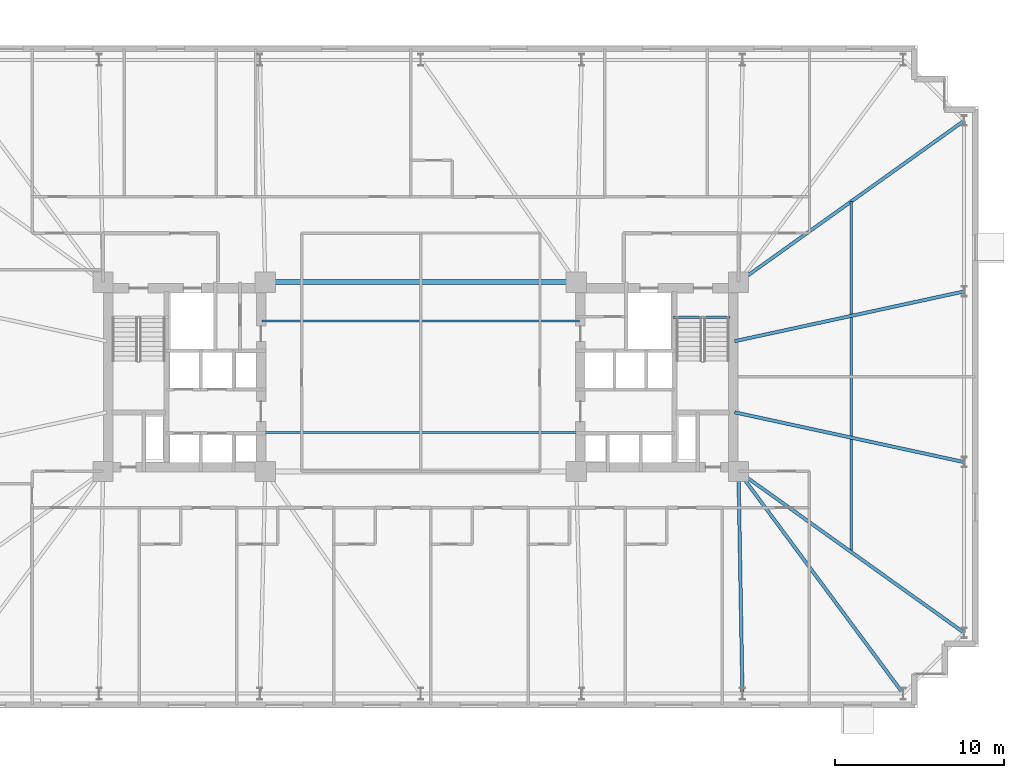
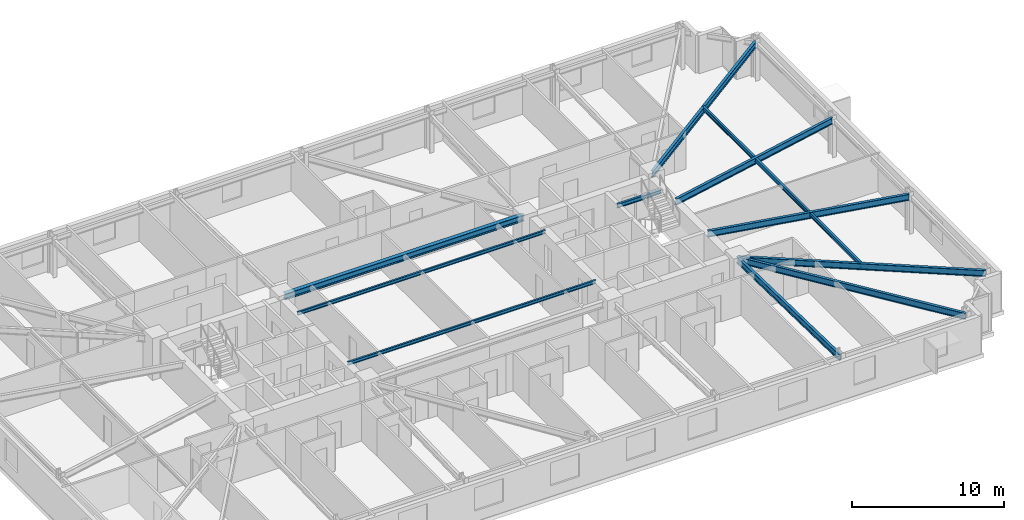
# One storey, part 7 of 20: 11 beams.
"""IFC4 building model written with IfcOpenShell, lengths in metres."""

from ifc_helpers import new_model, si_unit, direction, frame, origin, origin_2d, place, context, subcontext, project, spatial, i_section, extrude, material, material_profile, profile_set, type_object, element, save


model = new_model("IFC4")

# Units and contexts
model_context = context("Model", 3, precision=1e-05, world=origin(), true_north=direction((0.0, 1.0)))
body_context = subcontext(model_context, "Body", "Model", "MODEL_VIEW")
ifc_project = project(units=[si_unit("LENGTHUNIT", "METRE"), si_unit("AREAUNIT", "SQUARE_METRE"), si_unit("VOLUMEUNIT", "CUBIC_METRE"), si_unit("PLANEANGLEUNIT", "RADIAN"), si_unit("MASSUNIT", "GRAM", prefix="KILO")], contexts=[model_context])

# Site, building, storey
site_placement = place(None, origin())
site = spatial("IfcSite", under=ifc_project, at=site_placement, CompositionType="ELEMENT")
building_placement = place(site_placement, origin())
building = spatial("IfcBuilding", under=site, at=building_placement, Name="Qobustan Lattice House", CompositionType="ELEMENT")
storey_placement = place(building_placement, frame((0.0, 0.0, 67.199951171875)))
storey = spatial("IfcBuildingStorey", under=building, at=storey_placement, Name="L18", CompositionType="ELEMENT", Elevation=67.199951171875)

# Beams
ifc_material_1 = material(Name="Steel S355", Category="steel")
ifc_material_profile_1 = material_profile(ifc_material_1, i_section(OverallWidth=0.300048828125, OverallDepth=0.5, WebThickness=0.014404296875, FlangeThickness=0.028076171875, FilletRadius=0.027099609375, at=origin_2d()), Name="HEB500")
ifc_profile_set_1 = profile_set([ifc_material_profile_1], Name="Steel S355")
beam_type_1 = type_object("IfcBeamType", Name="BM-CG-HEB500", PredefinedType="USERDEFINED", material=ifc_profile_set_1)
beam_1_placement = place(storey_placement, frame((-9.050048828125, 5.60009765625, 2.78515625), z_axis=(1.0, 0.0, 0.0), x_axis=(0.0, 1.0, 0.0)))
element("IfcBeam", 1, at=beam_1_placement, inside=storey, type_object=beam_type_1, Name="L18 core spine girder CG-CN", ObjectType="GIRDER", PredefinedType="USERDEFINED", context=body_context, shape_type="SweptSolid", body=[
    extrude(i_section(OverallWidth=0.300048828125, OverallDepth=0.5, WebThickness=0.014404296875, FlangeThickness=0.028076171875, FilletRadius=0.027099609375, at=origin_2d()), origin(), (0.0, 0.0, 1.0), 18.10009765625),
])
ifc_material_2 = material(Name="Steel S355", Category="steel")
ifc_material_profile_2 = material_profile(ifc_material_2, i_section(OverallWidth=0.199951171875, OverallDepth=0.5, WebThickness=0.01025390625, FlangeThickness=0.01611328125, FilletRadius=0.02099609375, at=origin_2d()), Name="IPE500")
ifc_profile_set_2 = profile_set([ifc_material_profile_2], Name="Steel S355")
beam_type_2 = type_object("IfcBeamType", Name="BM-FLG-IPE500", PredefinedType="USERDEFINED", material=ifc_profile_set_2)
beam_2_placement = place(storey_placement, frame((19.032958984375, -18.72509765625, 2.78515625), z_axis=(-0.017757831607, 0.999842317276, 0.0), x_axis=(-0.999842317276, -0.017757831607, 0.0)))
element("IfcBeam", 2, at=beam_2_placement, inside=storey, type_object=beam_type_2, Name="L18 primary floor girder RAD-S6", ObjectType="GIRDER", PredefinedType="USERDEFINED", context=body_context, shape_type="SweptSolid", body=[
    extrude(i_section(OverallWidth=0.199951171875, OverallDepth=0.5, WebThickness=0.01025390625, FlangeThickness=0.01611328125, FilletRadius=0.02099609375, at=origin_2d()), origin(), (0.0, 0.0, 1.0), 13.10205078125),
])
beam_3_placement = place(storey_placement, frame((28.53515625, -18.72998046875, 2.78515625), z_axis=(-0.5955916815, 0.803287338956, 0.0), x_axis=(-0.803287338956, -0.5955916815, 0.0)))
element("IfcBeam", 3, at=beam_3_placement, inside=storey, type_object=beam_type_2, Name="L18 primary floor girder RAD-S7E", ObjectType="GIRDER", PredefinedType="USERDEFINED", context=body_context, shape_type="SweptSolid", body=[
    extrude(i_section(OverallWidth=0.199951171875, OverallDepth=0.5, WebThickness=0.01025390625, FlangeThickness=0.01611328125, FilletRadius=0.02099609375, at=origin_2d()), origin(), (0.0, 0.0, 1.0), 16.3203125),
])
beam_4_placement = place(storey_placement, frame((32.129638671875, 15.135498046875, 2.78515625), z_axis=(-0.813318954893, -0.581818079481, 0.0), x_axis=(0.581818079481, -0.813318954893, 0.0)))
element("IfcBeam", 4, at=beam_4_placement, inside=storey, type_object=beam_type_2, Name="L18 primary floor girder RAD-E4", ObjectType="GIRDER", PredefinedType="USERDEFINED", context=body_context, shape_type="SweptSolid", body=[
    extrude(i_section(OverallWidth=0.199951171875, OverallDepth=0.5, WebThickness=0.01025390625, FlangeThickness=0.01611328125, FilletRadius=0.02099609375, at=origin_2d()), origin(), (0.0, 0.0, 1.0), 16.3642578125),
])
for number, where, z_axis, x_axis, name in (
    (5, (32.12548828125, 5.044677734375, 2.78515625), (-0.97727240275, -0.211987383643, 0.0), (0.211987383643, -0.97727240275, 0.0), "L18 primary floor girder RAD-E3"),
    (6, (32.12548828125, -5.044677734375, 2.78515625), (-0.97727240275, 0.211987383643, 0.0), (-0.211987383643, -0.97727240275, 0.0), "L18 primary floor girder RAD-E2"),
):
    element("IfcBeam", number, at=place(storey_placement, frame(where, z_axis=z_axis, x_axis=x_axis)), inside=storey, type_object=beam_type_2, Name=name, ObjectType="GIRDER", PredefinedType="USERDEFINED", context=body_context, shape_type="SweptSolid", body=[
        extrude(i_section(OverallWidth=0.199951171875, OverallDepth=0.5, WebThickness=0.01025390625, FlangeThickness=0.01611328125, FilletRadius=0.02099609375, at=origin_2d()), origin(), (0.0, 0.0, 1.0), 13.8662109375),
    ])
beam_5_placement = place(storey_placement, frame((32.129638671875, -15.135498046875, 2.78515625), z_axis=(-0.813318954893, 0.581818079481, 0.0), x_axis=(-0.581818079481, -0.813318954893, 0.0)))
element("IfcBeam", 7, at=beam_5_placement, inside=storey, type_object=beam_type_2, Name="L18 primary floor girder RAD-E1", ObjectType="GIRDER", PredefinedType="USERDEFINED", context=body_context, shape_type="SweptSolid", body=[
    extrude(i_section(OverallWidth=0.199951171875, OverallDepth=0.5, WebThickness=0.01025390625, FlangeThickness=0.01611328125, FilletRadius=0.02099609375, at=origin_2d()), origin(), (0.0, 0.0, 1.0), 16.3642578125),
])
ifc_material_3 = material(Name="Steel S355", Category="steel")
ifc_material_profile_3 = material_profile(ifc_material_3, i_section(OverallWidth=0.135009765625, OverallDepth=0.27001953125, WebThickness=0.006591796875, FlangeThickness=0.01025390625, FilletRadius=0.014892578125, at=origin_2d()), Name="IPE270")
ifc_profile_set_3 = profile_set([ifc_material_profile_3], Name="Steel S355")
beam_type_3 = type_object("IfcBeamType", Name="BM-JST-IPE270", PredefinedType="JOIST", material=ifc_profile_set_3)
for number, where, z_axis, x_axis, name in (
    (8, (-9.39990234375, -3.300048828125, 2.900146484375), (1.0, 0.0, 0.0), (0.0, 1.0, 0.0), "L18 central span floor joist 1"),
    (9, (-9.39990234375, 3.300048828125, 2.900146484375), (1.0, 0.0, 0.0), (0.0, 1.0, 0.0), "L18 central span floor joist 2"),
):
    element("IfcBeam", number, at=place(storey_placement, frame(where, z_axis=z_axis, x_axis=x_axis)), inside=storey, type_object=beam_type_3, Name=name, PredefinedType="JOIST", context=body_context, shape_type="SweptSolid", body=[
        extrude(i_section(OverallWidth=0.135009765625, OverallDepth=0.27001953125, WebThickness=0.006591796875, FlangeThickness=0.01025390625, FilletRadius=0.014892578125, at=origin_2d()), origin(), (0.0, 0.0, 1.0), 18.7998046875),
    ])
ifc_material_4 = material(Name="Steel S355", Category="steel")
ifc_material_profile_4 = material_profile(ifc_material_4, i_section(OverallWidth=0.159912109375, OverallDepth=0.330078125, WebThickness=0.007568359375, FlangeThickness=0.011474609375, FilletRadius=0.01806640625, at=origin_2d()), Name="IPE330")
ifc_profile_set_4 = profile_set([ifc_material_profile_4], Name="Steel S355")
beam_type_4 = type_object("IfcBeamType", Name="BM-SEC-IPE330", PredefinedType="BEAM", material=ifc_profile_set_4)
beam_6_placement = place(storey_placement, frame((25.47509765625, 10.375, 2.8701171875), z_axis=(0.0, -1.0, 0.0), x_axis=(1.0, 0.0, 0.0)))
element("IfcBeam", 10, at=beam_6_placement, inside=storey, type_object=beam_type_4, Name="L18 east wing secondary beam", PredefinedType="BEAM", context=body_context, shape_type="SweptSolid", body=[
    extrude(i_section(OverallWidth=0.159912109375, OverallDepth=0.330078125, WebThickness=0.007568359375, FlangeThickness=0.011474609375, FilletRadius=0.01806640625, at=origin_2d()), origin(), (0.0, 0.0, 1.0), 20.75),
])
ifc_material_5 = material(Name="Steel S355", Category="steel")
ifc_material_profile_5 = material_profile(ifc_material_5, i_section(OverallWidth=0.159912109375, OverallDepth=0.330078125, WebThickness=0.007568359375, FlangeThickness=0.011474609375, FilletRadius=0.01806640625, at=origin_2d()), Name="IPE330")
ifc_profile_set_5 = profile_set([ifc_material_profile_5], Name="Steel S355")
beam_type_5 = type_object("IfcBeamType", Name="BM-SPD-IPE330", PredefinedType="SPANDREL", material=ifc_profile_set_5)
beam_7_placement = place(storey_placement, frame((14.949951171875, 3.52001953125, 2.8701171875), z_axis=(1.0, 0.0, 0.0), x_axis=(0.0, 1.0, 0.0)))
element("IfcBeam", 11, at=beam_7_placement, inside=storey, type_object=beam_type_5, Name="L18 east stair landing trimmer beam", PredefinedType="SPANDREL", context=body_context, shape_type="SweptSolid", body=[
    extrude(i_section(OverallWidth=0.159912109375, OverallDepth=0.330078125, WebThickness=0.007568359375, FlangeThickness=0.011474609375, FilletRadius=0.01806640625, at=origin_2d()), origin(), (0.0, 0.0, 1.0), 3.35009765625),
])

save(model, "model.ifc")
